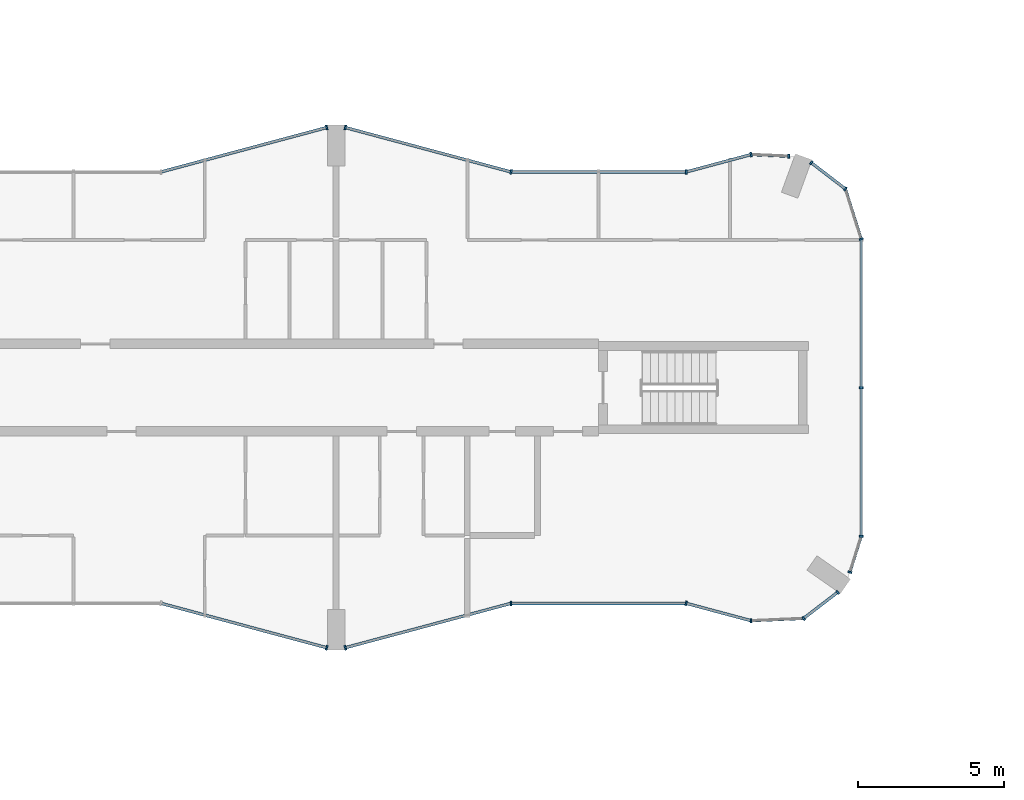
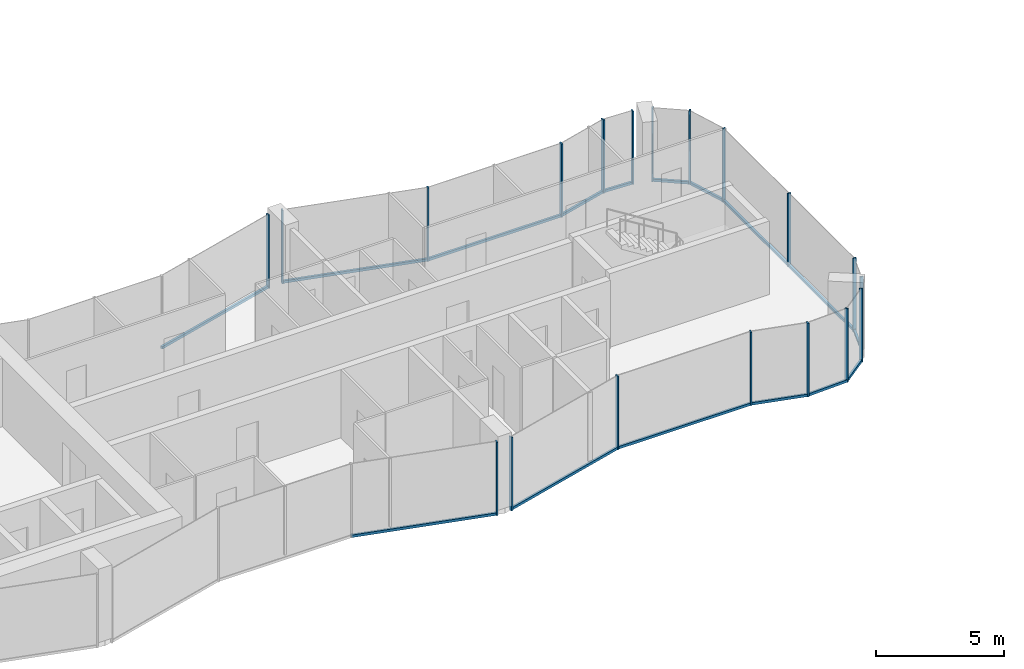
# One storey, part 5 of 23: 34 members, 15 elements without a shape of their own.
"""IFC4 building model written with IfcOpenShell, lengths in metres."""

from ifc_helpers import new_model, si_unit, direction, frame, origin, origin_2d, place, context, subcontext, project, spatial, rectangle, extrude, material, layer, layer_set, material_profile, profile_set, type_object, element, aggregate, save


model = new_model("IFC4")

# Units and contexts
model_context = context("Model", 3, precision=1e-05, world=origin(), true_north=direction((0.0, 1.0)))
body_context = subcontext(model_context, "Body", "Model", "MODEL_VIEW")
ifc_project = project(units=[si_unit("LENGTHUNIT", "METRE"), si_unit("AREAUNIT", "SQUARE_METRE"), si_unit("VOLUMEUNIT", "CUBIC_METRE"), si_unit("PLANEANGLEUNIT", "RADIAN"), si_unit("MASSUNIT", "GRAM", prefix="KILO")], contexts=[model_context])

# Site, building, storey
site_placement = place(None, origin())
site = spatial("IfcSite", under=ifc_project, at=site_placement, CompositionType="ELEMENT")
building_placement = place(site_placement, origin())
building = spatial("IfcBuilding", under=site, at=building_placement, Name="Plateau Cross Towers", CompositionType="ELEMENT")
storey_placement = place(building_placement, frame((0.0, 0.0, 88.800048828125)))
storey = spatial("IfcBuildingStorey", under=building, at=storey_placement, Name="L22", CompositionType="ELEMENT", Elevation=88.800048828125)

# Curtain wall, member
ifc_material_1 = material(Name="Dark low-iron glass", Category="glass")
ifc_layer_1 = layer(ifc_material_1, 0.239990234375)
ifc_layer_set_1 = layer_set([ifc_layer_1], Name="Dark low-iron glass")
curtain_wall_type_1 = type_object("IfcCurtainWallType", Name="Curtain wall flush unitised CW-B", PredefinedType="NOTDEFINED", material=ifc_layer_set_1)
curtain_wall_1_placement = place(storey_placement, origin())
curtain_wall_1 = element("IfcCurtainWall", 1, at=curtain_wall_1_placement, inside=storey, type_object=curtain_wall_type_1, Name="ENV/A/L22/A502_10", PredefinedType="NOTDEFINED")
ifc_material_2 = material(Name="Black anodised aluminium", Category="aluminium")
ifc_material_profile_1 = material_profile(ifc_material_2, rectangle(XDim=0.06005859375, YDim=0.139892578125, at=origin_2d()), Name="MULLION 60x140")
ifc_profile_set_1 = profile_set([ifc_material_profile_1], Name="Black anodised aluminium")
member_type_1 = type_object("IfcMemberType", Name="Mullion 60x140 flush unitised", PredefinedType="MULLION", material=ifc_profile_set_1)
member_1_placement = place(storey_placement, frame((50.223876953125, 1.01123046875, -0.25), z_axis=(0.0, 0.0, 1.0), x_axis=(0.999043701491, 0.043722791671, 0.0)))
member_1 = element("IfcMember", 2, at=member_1_placement, type_object=member_type_1, Name="CW-B mullion 1", PredefinedType="MULLION", context=body_context, shape_type="SweptSolid", body=[
    extrude(rectangle(XDim=0.06005859375, YDim=0.139892578125, at=origin_2d()), origin(), (0.0, 0.0, 1.0), 3.5),
])

# Curtain wall, members
curtain_wall_2_placement = place(storey_placement, origin())
curtain_wall_2 = element("IfcCurtainWall", 3, at=curtain_wall_2_placement, inside=storey, type_object=curtain_wall_type_1, Name="ENV/A/L22/A520_11", PredefinedType="NOTDEFINED")
member_2_placement = place(storey_placement, frame((52.0263671875, 1.090087890625, -0.25), z_axis=(0.0, 0.0, 1.0), x_axis=(0.793315514529, 0.608810721331, 0.0)))
member_2 = element("IfcMember", 4, at=member_2_placement, type_object=member_type_1, Name="CW-B mullion 1", PredefinedType="MULLION", context=body_context, shape_type="SweptSolid", body=[
    extrude(rectangle(XDim=0.06005859375, YDim=0.139892578125, at=origin_2d()), origin(), (0.0, 0.0, 1.0), 3.5),
])
member_3_placement = place(storey_placement, frame((53.193603515625, 1.986083984375, -0.25), z_axis=(0.0, 0.0, 1.0), x_axis=(0.793315514529, 0.608810721331, 0.0)))
member_3 = element("IfcMember", 5, at=member_3_placement, type_object=member_type_1, Name="CW-B mullion 2", PredefinedType="MULLION", context=body_context, shape_type="SweptSolid", body=[
    extrude(rectangle(XDim=0.06005859375, YDim=0.139892578125, at=origin_2d()), origin(), (0.0, 0.0, 1.0), 3.5),
])

# Curtain wall, member
curtain_wall_3_placement = place(storey_placement, origin())
curtain_wall_3 = element("IfcCurtainWall", 6, at=curtain_wall_3_placement, inside=storey, type_object=curtain_wall_type_1, Name="ENV/A/L22/A536_27", PredefinedType="NOTDEFINED")
member_4_placement = place(storey_placement, frame((53.611083984375, 2.67529296875, -0.25), z_axis=(0.0, 0.0, 1.0), x_axis=(0.300686174994, 0.95372313811, 0.0)))
member_4 = element("IfcMember", 7, at=member_4_placement, type_object=member_type_1, Name="CW-B mullion 1", PredefinedType="MULLION", context=body_context, shape_type="SweptSolid", body=[
    extrude(rectangle(XDim=0.06005859375, YDim=0.139892578125, at=origin_2d()), origin(), (0.0, 0.0, 1.0), 3.5),
])

# Curtain wall, members
curtain_wall_4_placement = place(storey_placement, origin())
curtain_wall_4 = element("IfcCurtainWall", 8, at=curtain_wall_4_placement, inside=storey, type_object=curtain_wall_type_1, Name="ENV/A/L22/A540_39", PredefinedType="NOTDEFINED")
member_5_placement = place(storey_placement, frame((54.0, 3.9091796875, -0.25), z_axis=(0.0, 0.0, 1.0), x_axis=(0.0, 1.0, 0.0)))
member_5 = element("IfcMember", 9, at=member_5_placement, type_object=member_type_1, Name="CW-B mullion 1", PredefinedType="MULLION", context=body_context, shape_type="SweptSolid", body=[
    extrude(rectangle(XDim=0.06005859375, YDim=0.139892578125, at=origin_2d()), origin(), (0.0, 0.0, 1.0), 3.5),
])
member_6_placement = place(storey_placement, frame((54.0, 9.0, -0.25), z_axis=(0.0, 0.0, 1.0), x_axis=(0.0, 1.0, 0.0)))
member_6 = element("IfcMember", 10, at=member_6_placement, type_object=member_type_1, Name="CW-B mullion 2", PredefinedType="MULLION", context=body_context, shape_type="SweptSolid", body=[
    extrude(rectangle(XDim=0.06005859375, YDim=0.139892578125, at=origin_2d()), origin(), (0.0, 0.0, 1.0), 3.5),
])

# Curtain wall, member
curtain_wall_5_placement = place(storey_placement, origin())
curtain_wall_5 = element("IfcCurtainWall", 11, at=curtain_wall_5_placement, inside=storey, type_object=curtain_wall_type_1, Name="ENV/A/L22/A540_141", PredefinedType="NOTDEFINED")
member_7_placement = place(storey_placement, frame((54.0, 14.0908203125, -0.25), z_axis=(0.0, 0.0, 1.0), x_axis=(-0.300686174994, 0.95372313811, 0.0)))
member_7 = element("IfcMember", 12, at=member_7_placement, type_object=member_type_1, Name="CW-B mullion 1", PredefinedType="MULLION", context=body_context, shape_type="SweptSolid", body=[
    extrude(rectangle(XDim=0.06005859375, YDim=0.139892578125, at=origin_2d()), origin(), (0.0, 0.0, 1.0), 3.5),
])

# Curtain wall, members
curtain_wall_6_placement = place(storey_placement, origin())
curtain_wall_6 = element("IfcCurtainWall", 13, at=curtain_wall_6_placement, inside=storey, type_object=curtain_wall_type_1, Name="ENV/A/L22/A535_158", PredefinedType="NOTDEFINED")
member_8_placement = place(storey_placement, frame((53.45751953125, 15.8115234375, -0.25), z_axis=(0.0, 0.0, 1.0), x_axis=(-0.793315514529, 0.608810721331, 0.0)))
member_8 = element("IfcMember", 14, at=member_8_placement, type_object=member_type_1, Name="CW-B mullion 1", PredefinedType="MULLION", context=body_context, shape_type="SweptSolid", body=[
    extrude(rectangle(XDim=0.06005859375, YDim=0.139892578125, at=origin_2d()), origin(), (0.0, 0.0, 1.0), 3.5),
])
member_9_placement = place(storey_placement, frame((52.290283203125, 16.707275390625, -0.25), z_axis=(0.0, 0.0, 1.0), x_axis=(-0.793315514529, 0.608810721331, 0.0)))
member_9 = element("IfcMember", 15, at=member_9_placement, type_object=member_type_1, Name="CW-B mullion 2", PredefinedType="MULLION", context=body_context, shape_type="SweptSolid", body=[
    extrude(rectangle(XDim=0.06005859375, YDim=0.139892578125, at=origin_2d()), origin(), (0.0, 0.0, 1.0), 3.5),
])

# Curtain wall, member
curtain_wall_7_placement = place(storey_placement, origin())
curtain_wall_7 = element("IfcCurtainWall", 16, at=curtain_wall_7_placement, inside=storey, type_object=curtain_wall_type_1, Name="ENV/A/L22/A515_169", PredefinedType="NOTDEFINED")
member_10_placement = place(storey_placement, frame((51.516357421875, 16.93212890625, -0.25), z_axis=(0.0, 0.0, 1.0), x_axis=(-0.999043701491, 0.043722791671, 0.0)))
member_10 = element("IfcMember", 17, at=member_10_placement, type_object=member_type_1, Name="CW-B mullion 1", PredefinedType="MULLION", context=body_context, shape_type="SweptSolid", body=[
    extrude(rectangle(XDim=0.06005859375, YDim=0.139892578125, at=origin_2d()), origin(), (0.0, 0.0, 1.0), 3.5),
])

ifc_layer_2 = layer(ifc_material_1, 0.260009765625)
ifc_layer_set_2 = layer_set([ifc_layer_2], Name="Dark low-iron glass")
curtain_wall_type_2 = type_object("IfcCurtainWallType", Name="Curtain wall fluted unitised CW-A", PredefinedType="NOTDEFINED", material=ifc_layer_set_2)
curtain_wall_8_placement = place(storey_placement, origin())
curtain_wall_8 = element("IfcCurtainWall", 18, at=curtain_wall_8_placement, inside=storey, type_object=curtain_wall_type_2, Name="ENV/A/L22/A300_16", PredefinedType="NOTDEFINED")
ifc_material_profile_2 = material_profile(ifc_material_2, rectangle(XDim=0.06005859375, YDim=0.159912109375, at=origin_2d()), Name="MULLION 60x160")
ifc_profile_set_2 = profile_set([ifc_material_profile_2], Name="Black anodised aluminium")
member_type_2 = type_object("IfcMemberType", Name="Mullion 60x160 fluted unitised", PredefinedType="MULLION", material=ifc_profile_set_2)
member_11_placement = place(storey_placement, frame((35.68212890625, 0.085205078125, -0.25), z_axis=(0.0, 0.0, 1.0), x_axis=(0.965957983404, -0.258699003279, 0.0)))
member_11 = element("IfcMember", 19, at=member_11_placement, type_object=member_type_2, Name="CW-A mullion 2", PredefinedType="MULLION", context=body_context, shape_type="SweptSolid", body=[
    extrude(rectangle(XDim=0.06005859375, YDim=0.159912109375, at=origin_2d()), origin(), (0.0, 0.0, 1.0), 3.5),
])

curtain_wall_9_placement = place(storey_placement, origin())
curtain_wall_9 = element("IfcCurtainWall", 20, at=curtain_wall_9_placement, inside=storey, type_object=curtain_wall_type_2, Name="ENV/A/L22/A363_1", PredefinedType="NOTDEFINED")
member_12_placement = place(storey_placement, frame((36.31787109375, 0.085205078125, -0.25), z_axis=(0.0, 0.0, 1.0), x_axis=(0.965957983404, 0.258699003279, 0.0)))
member_12 = element("IfcMember", 21, at=member_12_placement, type_object=member_type_2, Name="CW-A mullion 1", PredefinedType="MULLION", context=body_context, shape_type="SweptSolid", body=[
    extrude(rectangle(XDim=0.06005859375, YDim=0.159912109375, at=origin_2d()), origin(), (0.0, 0.0, 1.0), 3.5),
])

curtain_wall_10_placement = place(storey_placement, origin())
curtain_wall_10 = element("IfcCurtainWall", 22, at=curtain_wall_10_placement, inside=storey, type_object=curtain_wall_type_2, Name="ENV/A/L22/A420_16", PredefinedType="NOTDEFINED")
member_13_placement = place(storey_placement, frame((42.0, 1.60693359375, -0.25), z_axis=(0.0, 0.0, 1.0), x_axis=(1.0, 0.0, 0.0)))
member_13 = element("IfcMember", 23, at=member_13_placement, type_object=member_type_2, Name="CW-A mullion 1", PredefinedType="MULLION", context=body_context, shape_type="SweptSolid", body=[
    extrude(rectangle(XDim=0.06005859375, YDim=0.159912109375, at=origin_2d()), origin(), (0.0, 0.0, 1.0), 3.5),
])

curtain_wall_11_placement = place(storey_placement, origin())
curtain_wall_11 = element("IfcCurtainWall", 24, at=curtain_wall_11_placement, inside=storey, type_object=curtain_wall_type_2, Name="ENV/A/L22/A480_16", PredefinedType="NOTDEFINED")
member_14_placement = place(storey_placement, frame((48.0, 1.60693359375, -0.25), z_axis=(0.0, 0.0, 1.0), x_axis=(0.965957962328, -0.258699081978, 0.0)))
member_14 = element("IfcMember", 25, at=member_14_placement, type_object=member_type_2, Name="CW-A mullion 1", PredefinedType="MULLION", context=body_context, shape_type="SweptSolid", body=[
    extrude(rectangle(XDim=0.06005859375, YDim=0.159912109375, at=origin_2d()), origin(), (0.0, 0.0, 1.0), 3.5),
])

curtain_wall_12_placement = place(storey_placement, origin())
curtain_wall_12 = element("IfcCurtainWall", 26, at=curtain_wall_12_placement, inside=storey, type_object=curtain_wall_type_2, Name="ENV/A/L22/A502_170", PredefinedType="NOTDEFINED")
member_15_placement = place(storey_placement, frame((50.223876953125, 16.98876953125, -0.25), z_axis=(0.0, 0.0, 1.0), x_axis=(-0.965957962328, -0.258699081978, 0.0)))
member_15 = element("IfcMember", 27, at=member_15_placement, type_object=member_type_2, Name="CW-A mullion 1", PredefinedType="MULLION", context=body_context, shape_type="SweptSolid", body=[
    extrude(rectangle(XDim=0.06005859375, YDim=0.159912109375, at=origin_2d()), origin(), (0.0, 0.0, 1.0), 3.5),
])

curtain_wall_13_placement = place(storey_placement, origin())
curtain_wall_13 = element("IfcCurtainWall", 28, at=curtain_wall_13_placement, inside=storey, type_object=curtain_wall_type_2, Name="ENV/A/L22/A480_164", PredefinedType="NOTDEFINED")
member_16_placement = place(storey_placement, frame((48.0, 16.39306640625, -0.25), z_axis=(0.0, 0.0, 1.0), x_axis=(-1.0, 0.0, 0.0)))
member_16 = element("IfcMember", 29, at=member_16_placement, type_object=member_type_2, Name="CW-A mullion 1", PredefinedType="MULLION", context=body_context, shape_type="SweptSolid", body=[
    extrude(rectangle(XDim=0.06005859375, YDim=0.159912109375, at=origin_2d()), origin(), (0.0, 0.0, 1.0), 3.5),
])

# Curtain wall, members
curtain_wall_14_placement = place(storey_placement, origin())
curtain_wall_14 = element("IfcCurtainWall", 30, at=curtain_wall_14_placement, inside=storey, type_object=curtain_wall_type_2, Name="ENV/A/L22/A420_164", PredefinedType="NOTDEFINED")
member_17_placement = place(storey_placement, frame((42.0, 16.39306640625, -0.25), z_axis=(0.0, 0.0, 1.0), x_axis=(-0.965957983404, 0.258699003279, 0.0)))
member_17 = element("IfcMember", 31, at=member_17_placement, type_object=member_type_2, Name="CW-A mullion 1", PredefinedType="MULLION", context=body_context, shape_type="SweptSolid", body=[
    extrude(rectangle(XDim=0.06005859375, YDim=0.159912109375, at=origin_2d()), origin(), (0.0, 0.0, 1.0), 3.5),
])
member_18_placement = place(storey_placement, frame((36.31787109375, 17.914794921875, -0.25), z_axis=(0.0, 0.0, 1.0), x_axis=(-0.965957983404, 0.258699003279, 0.0)))
member_18 = element("IfcMember", 32, at=member_18_placement, type_object=member_type_2, Name="CW-A mullion 2", PredefinedType="MULLION", context=body_context, shape_type="SweptSolid", body=[
    extrude(rectangle(XDim=0.06005859375, YDim=0.159912109375, at=origin_2d()), origin(), (0.0, 0.0, 1.0), 3.5),
])

# Curtain wall, member
curtain_wall_15_placement = place(storey_placement, origin())
curtain_wall_15 = element("IfcCurtainWall", 33, at=curtain_wall_15_placement, inside=storey, type_object=curtain_wall_type_2, Name="ENV/A/L22/A357_179", PredefinedType="NOTDEFINED")
member_19_placement = place(storey_placement, frame((35.68212890625, 17.914794921875, -0.25), z_axis=(0.0, 0.0, 1.0), x_axis=(-0.965957983404, -0.258699003279, 0.0)))
member_19 = element("IfcMember", 34, at=member_19_placement, type_object=member_type_2, Name="CW-A mullion 1", PredefinedType="MULLION", context=body_context, shape_type="SweptSolid", body=[
    extrude(rectangle(XDim=0.06005859375, YDim=0.159912109375, at=origin_2d()), origin(), (0.0, 0.0, 1.0), 3.5),
])

# Member
ifc_material_profile_3 = material_profile(ifc_material_2, rectangle(XDim=0.10009765625, YDim=0.1201171875, at=origin_2d()), Name="TRANSOM 100x120")
ifc_profile_set_3 = profile_set([ifc_material_profile_3], Name="Black anodised aluminium")
member_type_3 = type_object("IfcMemberType", Name="Transom 100x120 flush unitised", PredefinedType="USERDEFINED", material=ifc_profile_set_3)
member_20_placement = place(storey_placement, frame((50.223876953125, 1.01123046875, -0.18994140625), z_axis=(0.999044377355, 0.043707345779, 0.0), x_axis=(-0.043707345779, 0.999044377355, 0.0)))
member_20 = element("IfcMember", 35, at=member_20_placement, type_object=member_type_3, Name="CW-B transom", ObjectType="TRANSOM", PredefinedType="USERDEFINED", context=body_context, shape_type="SweptSolid", body=[
    extrude(rectangle(XDim=0.10009765625, YDim=0.1201171875, at=origin_2d()), origin(), (0.0, 0.0, 1.0), 1.80419921875),
])

aggregate(curtain_wall_1, [member_1, member_20])

member_21_placement = place(storey_placement, frame((52.0263671875, 1.090087890625, -0.18994140625), z_axis=(0.793240368515, 0.608908628415, 0.0), x_axis=(-0.608908628415, 0.793240368515, 0.0)))
member_21 = element("IfcMember", 36, at=member_21_placement, type_object=member_type_3, Name="CW-B transom", ObjectType="TRANSOM", PredefinedType="USERDEFINED", context=body_context, shape_type="SweptSolid", body=[
    extrude(rectangle(XDim=0.10009765625, YDim=0.1201171875, at=origin_2d()), origin(), (0.0, 0.0, 1.0), 1.471435546875),
])

aggregate(curtain_wall_2, [member_2, member_3, member_21])

member_22_placement = place(storey_placement, frame((53.611083984375, 2.67529296875, -0.18994140625), z_axis=(0.300616528216, 0.953745093284, 0.0), x_axis=(-0.953745093284, 0.300616528216, 0.0)))
member_22 = element("IfcMember", 37, at=member_22_placement, type_object=member_type_3, Name="CW-B transom", ObjectType="TRANSOM", PredefinedType="USERDEFINED", context=body_context, shape_type="SweptSolid", body=[
    extrude(rectangle(XDim=0.10009765625, YDim=0.1201171875, at=origin_2d()), origin(), (0.0, 0.0, 1.0), 1.293701171875),
])

aggregate(curtain_wall_3, [member_4, member_22])

member_23_placement = place(storey_placement, frame((54.0, 3.9091796875, -0.18994140625), z_axis=(0.0, 1.0, 0.0), x_axis=(-1.0, 0.0, 0.0)))
member_23 = element("IfcMember", 38, at=member_23_placement, type_object=member_type_3, Name="CW-B transom", ObjectType="TRANSOM", PredefinedType="USERDEFINED", context=body_context, shape_type="SweptSolid", body=[
    extrude(rectangle(XDim=0.10009765625, YDim=0.1201171875, at=origin_2d()), origin(), (0.0, 0.0, 1.0), 10.181640625),
])

aggregate(curtain_wall_4, [member_5, member_6, member_23])

member_24_placement = place(storey_placement, frame((54.0, 14.0908203125, -0.18994140625), z_axis=(-0.30067799945, 0.953725715626, 0.0), x_axis=(-0.953725715626, -0.30067799945, 0.0)))
member_24 = element("IfcMember", 39, at=member_24_placement, type_object=member_type_3, Name="CW-B transom", ObjectType="TRANSOM", PredefinedType="USERDEFINED", context=body_context, shape_type="SweptSolid", body=[
    extrude(rectangle(XDim=0.10009765625, YDim=0.1201171875, at=origin_2d()), origin(), (0.0, 0.0, 1.0), 1.80419921875),
])

aggregate(curtain_wall_5, [member_7, member_24])

member_25_placement = place(storey_placement, frame((53.45751953125, 15.8115234375, -0.18994140625), z_axis=(-0.793320508571, 0.608804213751, 0.0), x_axis=(-0.608804213751, -0.793320508571, 0.0)))
member_25 = element("IfcMember", 40, at=member_25_placement, type_object=member_type_3, Name="CW-B transom", ObjectType="TRANSOM", PredefinedType="USERDEFINED", context=body_context, shape_type="SweptSolid", body=[
    extrude(rectangle(XDim=0.10009765625, YDim=0.1201171875, at=origin_2d()), origin(), (0.0, 0.0, 1.0), 1.471435546875),
])

aggregate(curtain_wall_6, [member_8, member_9, member_25])

member_26_placement = place(storey_placement, frame((51.516357421875, 16.93212890625, -0.18994140625), z_axis=(-0.999041144614, 0.043781175963, 0.0), x_axis=(-0.043781175963, -0.999041144614, 0.0)))
member_26 = element("IfcMember", 41, at=member_26_placement, type_object=member_type_3, Name="CW-B transom", ObjectType="TRANSOM", PredefinedType="USERDEFINED", context=body_context, shape_type="SweptSolid", body=[
    extrude(rectangle(XDim=0.10009765625, YDim=0.1201171875, at=origin_2d()), origin(), (0.0, 0.0, 1.0), 1.293701171875),
])

aggregate(curtain_wall_7, [member_10, member_26])

ifc_material_profile_4 = material_profile(ifc_material_2, rectangle(XDim=0.10009765625, YDim=0.1201171875, at=origin_2d()), Name="TRANSOM 100x120")
ifc_profile_set_4 = profile_set([ifc_material_profile_4], Name="Black anodised aluminium")
member_type_4 = type_object("IfcMemberType", Name="Transom 100x120 fluted unitised", PredefinedType="USERDEFINED", material=ifc_profile_set_4)
member_27_placement = place(storey_placement, frame((30.0, 1.60693359375, -0.18994140625), z_axis=(0.965959534794, -0.258693210465, 0.0), x_axis=(0.258693210465, 0.965959534794, 0.0)))
member_27 = element("IfcMember", 42, at=member_27_placement, type_object=member_type_4, Name="CW-A transom", ObjectType="TRANSOM", PredefinedType="USERDEFINED", context=body_context, shape_type="SweptSolid", body=[
    extrude(rectangle(XDim=0.10009765625, YDim=0.1201171875, at=origin_2d()), origin(), (0.0, 0.0, 1.0), 5.88232421875),
])

aggregate(curtain_wall_8, [member_11, member_27])

member_28_placement = place(storey_placement, frame((36.31787109375, 0.085205078125, -0.18994140625), z_axis=(0.965959534794, 0.258693210465, 0.0), x_axis=(-0.258693210465, 0.965959534794, 0.0)))
member_28 = element("IfcMember", 43, at=member_28_placement, type_object=member_type_4, Name="CW-A transom", ObjectType="TRANSOM", PredefinedType="USERDEFINED", context=body_context, shape_type="SweptSolid", body=[
    extrude(rectangle(XDim=0.10009765625, YDim=0.1201171875, at=origin_2d()), origin(), (0.0, 0.0, 1.0), 5.88232421875),
])

aggregate(curtain_wall_9, [member_12, member_28])

member_29_placement = place(storey_placement, frame((42.0, 1.60693359375, -0.18994140625), z_axis=(1.0, 0.0, 0.0), x_axis=(0.0, 1.0, 0.0)))
member_29 = element("IfcMember", 44, at=member_29_placement, type_object=member_type_4, Name="CW-A transom", ObjectType="TRANSOM", PredefinedType="USERDEFINED", context=body_context, shape_type="SweptSolid", body=[
    extrude(rectangle(XDim=0.10009765625, YDim=0.1201171875, at=origin_2d()), origin(), (0.0, 0.0, 1.0), 6.0),
])

aggregate(curtain_wall_10, [member_13, member_29])

member_30_placement = place(storey_placement, frame((48.0, 1.60693359375, -0.18994140625), z_axis=(0.965945685136, -0.258744919501, 0.0), x_axis=(0.258744919501, 0.965945685136, 0.0)))
member_30 = element("IfcMember", 45, at=member_30_placement, type_object=member_type_4, Name="CW-A transom", ObjectType="TRANSOM", PredefinedType="USERDEFINED", context=body_context, shape_type="SweptSolid", body=[
    extrude(rectangle(XDim=0.10009765625, YDim=0.1201171875, at=origin_2d()), origin(), (0.0, 0.0, 1.0), 2.30224609375),
])

aggregate(curtain_wall_11, [member_14, member_30])

member_31_placement = place(storey_placement, frame((50.223876953125, 16.98876953125, -0.18994140625), z_axis=(-0.965945685136, -0.258744919501, 0.0), x_axis=(0.258744919501, -0.965945685136, 0.0)))
member_31 = element("IfcMember", 46, at=member_31_placement, type_object=member_type_4, Name="CW-A transom", ObjectType="TRANSOM", PredefinedType="USERDEFINED", context=body_context, shape_type="SweptSolid", body=[
    extrude(rectangle(XDim=0.10009765625, YDim=0.1201171875, at=origin_2d()), origin(), (0.0, 0.0, 1.0), 2.30224609375),
])

aggregate(curtain_wall_12, [member_15, member_31])

member_32_placement = place(storey_placement, frame((48.0, 16.39306640625, -0.18994140625), z_axis=(-1.0, 0.0, 0.0), x_axis=(0.0, -1.0, 0.0)))
member_32 = element("IfcMember", 47, at=member_32_placement, type_object=member_type_4, Name="CW-A transom", ObjectType="TRANSOM", PredefinedType="USERDEFINED", context=body_context, shape_type="SweptSolid", body=[
    extrude(rectangle(XDim=0.10009765625, YDim=0.1201171875, at=origin_2d()), origin(), (0.0, 0.0, 1.0), 6.0),
])

aggregate(curtain_wall_13, [member_16, member_32])

member_33_placement = place(storey_placement, frame((42.0, 16.39306640625, -0.18994140625), z_axis=(-0.965959534794, 0.258693210465, 0.0), x_axis=(-0.258693210465, -0.965959534794, 0.0)))
member_33 = element("IfcMember", 48, at=member_33_placement, type_object=member_type_4, Name="CW-A transom", ObjectType="TRANSOM", PredefinedType="USERDEFINED", context=body_context, shape_type="SweptSolid", body=[
    extrude(rectangle(XDim=0.10009765625, YDim=0.1201171875, at=origin_2d()), origin(), (0.0, 0.0, 1.0), 5.88232421875),
])

aggregate(curtain_wall_14, [member_17, member_18, member_33])

member_34_placement = place(storey_placement, frame((35.68212890625, 17.914794921875, -0.18994140625), z_axis=(-0.965959534794, -0.258693210465, 0.0), x_axis=(0.258693210465, -0.965959534794, 0.0)))
member_34 = element("IfcMember", 49, at=member_34_placement, type_object=member_type_4, Name="CW-A transom", ObjectType="TRANSOM", PredefinedType="USERDEFINED", context=body_context, shape_type="SweptSolid", body=[
    extrude(rectangle(XDim=0.10009765625, YDim=0.1201171875, at=origin_2d()), origin(), (0.0, 0.0, 1.0), 5.88232421875),
])

aggregate(curtain_wall_15, [member_19, member_34])

save(model, "model.ifc")
